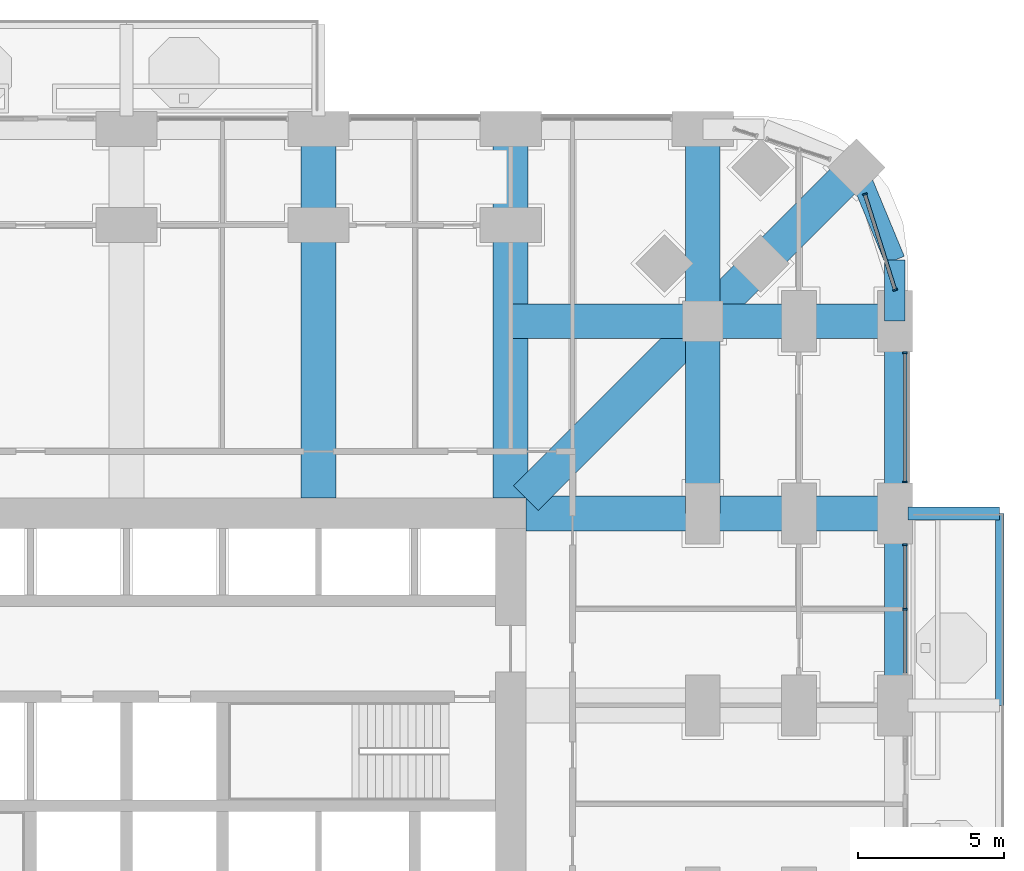
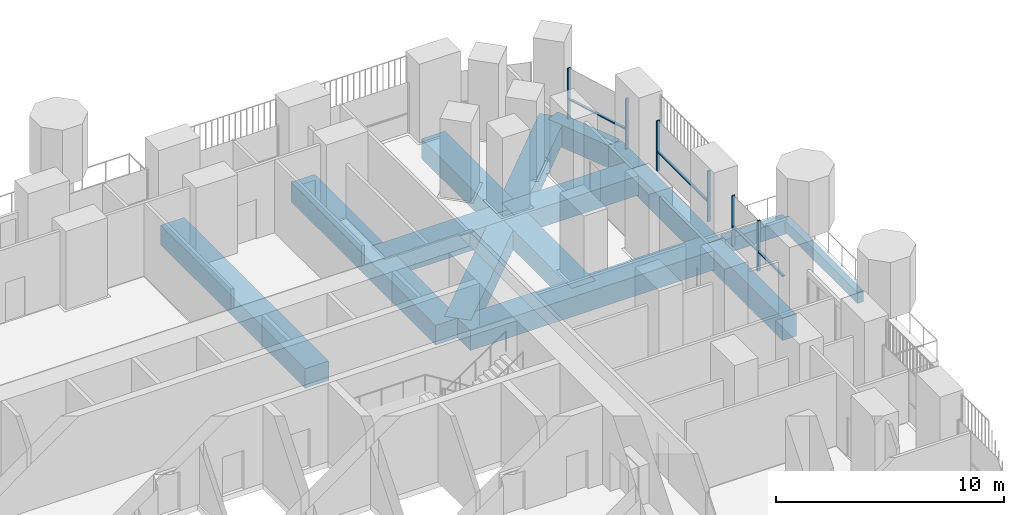
# One storey, part 8 of 26: 15 beams, 10 members, 3 elements without a shape of their own.
"""IFC4 building model written with IfcOpenShell, lengths in metres."""

from ifc_helpers import new_model, si_unit, direction, frame, origin, origin_2d, place, context, subcontext, project, spatial, rectangle, extrude, material, material_profile, profile_set, type_object, element, aggregate, save


model = new_model("IFC4")

# Units and contexts
model_context = context("Model", 3, precision=1e-05, world=origin(), true_north=direction((0.0, 1.0)))
body_context = subcontext(model_context, "Body", "Model", "MODEL_VIEW")
ifc_project = project(units=[si_unit("LENGTHUNIT", "METRE"), si_unit("AREAUNIT", "SQUARE_METRE"), si_unit("VOLUMEUNIT", "CUBIC_METRE"), si_unit("PLANEANGLEUNIT", "RADIAN"), si_unit("MASSUNIT", "GRAM", prefix="KILO")], contexts=[model_context])

# Site, building, storey
site_placement = place(None, origin())
site = spatial("IfcSite", under=ifc_project, at=site_placement, CompositionType="ELEMENT")
building_placement = place(site_placement, origin())
building = spatial("IfcBuilding", under=site, at=building_placement, Name="Cobogo Forest Laboratory Tower", CompositionType="ELEMENT")
storey_placement = place(building_placement, frame((0.0, 0.0, 50.699951171875)))
storey = spatial("IfcBuildingStorey", under=building, at=storey_placement, Name="L11", CompositionType="ELEMENT", Elevation=50.699951171875)

# Beams
ifc_material_1 = material(Name="Concrete HA-40 (C40/50)", Category="concrete")
ifc_material_profile_1 = material_profile(ifc_material_1, rectangle(XDim=0.449951171875, YDim=0.75, at=origin_2d()), Name="RC 450x750")
ifc_profile_set_1 = profile_set([ifc_material_profile_1], Name="Concrete HA-40 (C40/50)")
beam_type_1 = type_object("IfcBeamType", Name="Balcony cantilever beam 450x750", PredefinedType="BEAM", material=ifc_profile_set_1)
beam_1_placement = place(storey_placement, frame((53.25, 33.0, -0.625), z_axis=(1.0, 0.0, 0.0), x_axis=(0.0, 1.0, 0.0)))
element("IfcBeam", 1, at=beam_1_placement, inside=storey, type_object=beam_type_1, Name="CB1 BAL-E1-C3 L11", PredefinedType="BEAM", context=body_context, shape_type="SweptSolid", body=[
    extrude(rectangle(XDim=0.449951171875, YDim=0.75, at=origin_2d()), origin(), (0.0, 0.0, 1.0), 3.14990234375),
])
ifc_material_profile_2 = material_profile(ifc_material_1, rectangle(XDim=0.300048828125, YDim=0.60009765625, at=origin_2d()), Name="RC 300x600")
ifc_profile_set_2 = profile_set([ifc_material_profile_2], Name="Concrete HA-40 (C40/50)")
beam_type_2 = type_object("IfcBeamType", Name="Balcony edge beam 300x600", PredefinedType="BEAM", material=ifc_profile_set_2)
beam_2_placement = place(storey_placement, frame((56.39990234375, 26.39990234375, -0.550048828125), z_axis=(0.0, 1.0, 0.0), x_axis=(-1.0, 0.0, 0.0)))
element("IfcBeam", 2, at=beam_2_placement, inside=storey, type_object=beam_type_2, Name="BB1 BAL-E1-T2 L11", PredefinedType="BEAM", context=body_context, shape_type="SweptSolid", body=[
    extrude(rectangle(XDim=0.300048828125, YDim=0.60009765625, at=origin_2d()), origin(), (0.0, 0.0, 1.0), 6.60009765625),
])
ifc_material_profile_3 = material_profile(ifc_material_1, rectangle(XDim=1.199951171875, YDim=1.050048828125, at=origin_2d()), Name="RC 1200x1050")
ifc_profile_set_3 = profile_set([ifc_material_profile_3], Name="Concrete HA-40 (C40/50)")
beam_type_3 = type_object("IfcBeamType", Name="Laboratory floor wide beam 1200x1050", PredefinedType="BEAM", material=ifc_profile_set_3)
for number, where, z_axis, x_axis, name in (
    (3, (33.0, 33.52490234375, -0.824951171875), (0.0, 1.0, 0.0), (-1.0, 0.0, 0.0), "RB1 R-6-N L11"),
    (4, (39.60009765625, 33.52490234375, -0.824951171875), (0.0, 1.0, 0.0), (-1.0, 0.0, 0.0), "RB1 R-7-N L11"),
    (5, (40.125, 33.0, -0.824951171875), (1.0, 0.0, 0.0), (0.0, 1.0, 0.0), "RB1 R-F-E L11"),
):
    element("IfcBeam", number, at=place(storey_placement, frame(where, z_axis=z_axis, x_axis=x_axis)), inside=storey, type_object=beam_type_3, Name=name, PredefinedType="BEAM", context=body_context, shape_type="SweptSolid", body=[
        extrude(rectangle(XDim=1.199951171875, YDim=1.050048828125, at=origin_2d()), origin(), (0.0, 0.0, 1.0), 12.675048828125),
    ])
beam_3_placement = place(storey_placement, frame((46.199951171875, 46.199951171875, -0.824951171875), z_axis=(0.0, -1.0, 0.0), x_axis=(1.0, 0.0, 0.0)))
element("IfcBeam", 6, at=beam_3_placement, inside=storey, type_object=beam_type_3, Name="RB1 G-NE-XF L11", PredefinedType="BEAM", context=body_context, shape_type="SweptSolid", body=[
    extrude(rectangle(XDim=1.199951171875, YDim=1.050048828125, at=origin_2d()), origin(), (0.0, 0.0, 1.0), 6.599853515625),
])
for number, where, z_axis, x_axis, name in (
    (7, (46.199951171875, 39.60009765625, -0.824951171875), (0.0, -1.0, 0.0), (1.0, 0.0, 0.0), "RB1 G-NE-XC L11"),
    (8, (52.800048828125, 39.60009765625, -0.824951171875), (-1.0, 0.0, 0.0), (0.0, -1.0, 0.0), "RB1 G-NE-YF L11"),
):
    element("IfcBeam", number, at=place(storey_placement, frame(where, z_axis=z_axis, x_axis=x_axis)), inside=storey, type_object=beam_type_3, Name=name, PredefinedType="BEAM", context=body_context, shape_type="SweptSolid", body=[
        extrude(rectangle(XDim=1.199951171875, YDim=1.050048828125, at=origin_2d()), origin(), (0.0, 0.0, 1.0), 6.60009765625),
    ])
beam_4_placement = place(storey_placement, frame((46.199951171875, 39.60009765625, -0.824951171875), z_axis=(-1.0, 0.0, 0.0), x_axis=(0.0, -1.0, 0.0)))
element("IfcBeam", 9, at=beam_4_placement, inside=storey, type_object=beam_type_3, Name="RB1 G-NE-YC L11", PredefinedType="BEAM", context=body_context, shape_type="SweptSolid", body=[
    extrude(rectangle(XDim=1.199951171875, YDim=1.050048828125, at=origin_2d()), origin(), (0.0, 0.0, 1.0), 6.599853515625),
])
beam_5_placement = place(storey_placement, frame((51.48193359375, 44.882080078125, -0.824951171875), z_axis=(-0.707106781187, -0.707106781187, 0.0), x_axis=(0.707106781187, -0.707106781187, 0.0)))
element("IfcBeam", 10, at=beam_5_placement, inside=storey, type_object=beam_type_3, Name="RB1 G-NE-D1 L11", PredefinedType="BEAM", context=body_context, shape_type="SweptSolid", body=[
    extrude(rectangle(XDim=1.199951171875, YDim=1.050048828125, at=origin_2d()), origin(), (0.0, 0.0, 1.0), 7.469970703125),
])
beam_6_placement = place(storey_placement, frame((46.199951171875, 39.60009765625, -0.824951171875), z_axis=(-0.707092572697, -0.70712098939, 0.0), x_axis=(0.70712098939, -0.707092572697, 0.0)))
element("IfcBeam", 11, at=beam_6_placement, inside=storey, type_object=beam_type_3, Name="RB1 G-NE-D2 L11", PredefinedType="BEAM", context=body_context, shape_type="SweptSolid", body=[
    extrude(rectangle(XDim=1.199951171875, YDim=1.050048828125, at=origin_2d()), origin(), (0.0, 0.0, 1.0), 8.591552734375),
])

# Curtain wall, members
ifc_material_2 = material(Name="Aluminium curtain wall", Category="aluminium")
curtain_wall_type = type_object("IfcCurtainWallType", Name="CW-1 unitised curtain wall, clear glazing, laboratory floors zones A and B", PredefinedType="USERDEFINED", material=ifc_material_2)
curtain_wall_1_placement = place(storey_placement, origin())
curtain_wall_1 = element("IfcCurtainWall", 12, at=curtain_wall_1_placement, inside=storey, type_object=curtain_wall_type, Name="Curtain wall 13 L11", ObjectType="UNITISED CURTAIN WALL", PredefinedType="USERDEFINED")
ifc_material_3 = material(Name="Aluminium mullion", Category="aluminium")
ifc_material_profile_4 = material_profile(ifc_material_3, rectangle(XDim=0.06005859375, YDim=0.159912109375, at=origin_2d()), Name="AL 60x160")
ifc_profile_set_4 = profile_set([ifc_material_profile_4], Name="Aluminium mullion")
member_type_1 = type_object("IfcMemberType", Name="MU-1 aluminium mullion 60x160", PredefinedType="MULLION", material=ifc_profile_set_4)
member_1_placement = place(storey_placement, frame((53.14990234375, 29.699951171875, 0.0), z_axis=(0.0, 0.0, 1.0), x_axis=(0.0, 1.0, 0.0)))
member_1 = element("IfcMember", 13, at=member_1_placement, type_object=member_type_1, Name="CW-1 mullion 2", PredefinedType="MULLION", context=body_context, shape_type="SweptSolid", body=[
    extrude(rectangle(XDim=0.06005859375, YDim=0.159912109375, at=origin_2d()), origin(), (0.0, 0.0, 1.0), 2.699951171875),
])
member_2_placement = place(storey_placement, frame((53.14990234375, 31.919921875, 0.0), z_axis=(0.0, 0.0, 1.0), x_axis=(0.0, 1.0, 0.0)))
member_2 = element("IfcMember", 14, at=member_2_placement, type_object=member_type_1, Name="CW-1 mullion 3", PredefinedType="MULLION", context=body_context, shape_type="SweptSolid", body=[
    extrude(rectangle(XDim=0.06005859375, YDim=0.159912109375, at=origin_2d()), origin(), (0.0, 0.0, 1.0), 2.699951171875),
])

curtain_wall_2_placement = place(storey_placement, origin())
curtain_wall_2 = element("IfcCurtainWall", 15, at=curtain_wall_2_placement, inside=storey, type_object=curtain_wall_type, Name="Curtain wall 14 L11", ObjectType="UNITISED CURTAIN WALL", PredefinedType="USERDEFINED")
member_3_placement = place(storey_placement, frame((53.14990234375, 34.080078125, 0.0), z_axis=(0.0, 0.0, 1.0), x_axis=(0.0, 1.0, 0.0)))
member_3 = element("IfcMember", 16, at=member_3_placement, type_object=member_type_1, Name="CW-1 mullion 1", PredefinedType="MULLION", context=body_context, shape_type="SweptSolid", body=[
    extrude(rectangle(XDim=0.06005859375, YDim=0.159912109375, at=origin_2d()), origin(), (0.0, 0.0, 1.0), 2.699951171875),
])
member_4_placement = place(storey_placement, frame((53.14990234375, 38.52001953125, 0.0), z_axis=(0.0, 0.0, 1.0), x_axis=(0.0, 1.0, 0.0)))
member_4 = element("IfcMember", 17, at=member_4_placement, type_object=member_type_1, Name="CW-1 mullion 2", PredefinedType="MULLION", context=body_context, shape_type="SweptSolid", body=[
    extrude(rectangle(XDim=0.06005859375, YDim=0.159912109375, at=origin_2d()), origin(), (0.0, 0.0, 1.0), 2.699951171875),
])

curtain_wall_3_placement = place(storey_placement, origin())
curtain_wall_3 = element("IfcCurtainWall", 18, at=curtain_wall_3_placement, inside=storey, type_object=curtain_wall_type, Name="Curtain wall 15 L11", ObjectType="UNITISED CURTAIN WALL", PredefinedType="USERDEFINED")
member_5_placement = place(storey_placement, frame((52.809326171875, 40.6787109375, 0.0), z_axis=(0.0, 0.0, 1.0), x_axis=(-0.30113535792, 0.95358140513, 0.0)))
member_5 = element("IfcMember", 19, at=member_5_placement, type_object=member_type_1, Name="CW-1 mullion 1", PredefinedType="MULLION", context=body_context, shape_type="SweptSolid", body=[
    extrude(rectangle(XDim=0.06005859375, YDim=0.159912109375, at=origin_2d()), origin(), (0.0, 0.0, 1.0), 2.699951171875),
])
member_6_placement = place(storey_placement, frame((51.772705078125, 43.961181640625, 0.0), z_axis=(0.0, 0.0, 1.0), x_axis=(-0.30113535792, 0.95358140513, 0.0)))
member_6 = element("IfcMember", 20, at=member_6_placement, type_object=member_type_1, Name="CW-1 mullion 2", PredefinedType="MULLION", context=body_context, shape_type="SweptSolid", body=[
    extrude(rectangle(XDim=0.06005859375, YDim=0.159912109375, at=origin_2d()), origin(), (0.0, 0.0, 1.0), 2.699951171875),
])

# Beams
ifc_material_profile_5 = material_profile(ifc_material_1, rectangle(XDim=0.699951171875, YDim=1.199951171875, at=origin_2d()), Name="RC 700x1200")
ifc_profile_set_5 = profile_set([ifc_material_profile_5], Name="Concrete HA-40 (C40/50)")
beam_type_4 = type_object("IfcBeamType", Name="Perimeter edge beam 700x1200", PredefinedType="BEAM", material=ifc_profile_set_5)
for number, where, z_axis, x_axis, name in (
    (21, (52.800048828125, 26.39990234375, -0.89990234375), (0.0, 1.0, 0.0), (-1.0, 0.0, 0.0), "EB1 E-E4 L11"),
    (22, (52.800048828125, 33.0, -0.89990234375), (0.0, 1.0, 0.0), (-1.0, 0.0, 0.0), "EB1 E-E5 L11"),
):
    element("IfcBeam", number, at=place(storey_placement, frame(where, z_axis=z_axis, x_axis=x_axis)), inside=storey, type_object=beam_type_4, Name=name, PredefinedType="BEAM", context=body_context, shape_type="SweptSolid", body=[
        extrude(rectangle(XDim=0.699951171875, YDim=1.199951171875, at=origin_2d()), origin(), (0.0, 0.0, 1.0), 6.60009765625),
    ])
beam_7_placement = place(storey_placement, frame((52.800048828125, 39.60009765625, -0.89990234375), z_axis=(0.0, 1.0, 0.0), x_axis=(-1.0, 0.0, 0.0)))
element("IfcBeam", 23, at=beam_7_placement, inside=storey, type_object=beam_type_4, Name="EB1 E-NEE1 L11", PredefinedType="BEAM", context=body_context, shape_type="SweptSolid", body=[
    extrude(rectangle(XDim=0.699951171875, YDim=1.199951171875, at=origin_2d()), origin(), (0.0, 0.0, 1.0), 2.099853515625),
])
beam_8_placement = place(storey_placement, frame((52.800048828125, 41.699951171875, -0.89990234375), z_axis=(-0.382691928466, 0.923876013265, 0.0), x_axis=(-0.923876013265, -0.382691928466, 0.0)))
element("IfcBeam", 24, at=beam_8_placement, inside=storey, type_object=beam_type_4, Name="EB1 E-NEE2 L11", PredefinedType="BEAM", context=body_context, shape_type="SweptSolid", body=[
    extrude(rectangle(XDim=0.699951171875, YDim=1.199951171875, at=origin_2d()), origin(), (0.0, 0.0, 1.0), 3.4443359375),
])

# Member
ifc_material_4 = material(Name="Aluminium transom", Category="aluminium")
ifc_material_profile_6 = material_profile(ifc_material_4, rectangle(XDim=0.1201171875, YDim=0.06005859375, at=origin_2d()), Name="AL 60x120")
ifc_profile_set_6 = profile_set([ifc_material_profile_6], Name="Aluminium transom")
member_type_2 = type_object("IfcMemberType", Name="TR-1 aluminium transom 60x120", PredefinedType="USERDEFINED", material=ifc_profile_set_6)
member_7_placement = place(storey_placement, frame((53.14990234375, 27.510009765625, 1.050048828125), z_axis=(0.0, 1.0, 0.0), x_axis=(-1.0, 0.0, 0.0)))
member_7 = element("IfcMember", 25, at=member_7_placement, type_object=member_type_2, Name="CW-1 transom 1.1", ObjectType="TRANSOM", PredefinedType="USERDEFINED", context=body_context, shape_type="SweptSolid", body=[
    extrude(rectangle(XDim=0.1201171875, YDim=0.06005859375, at=origin_2d()), origin(), (0.0, 0.0, 1.0), 2.159912109375),
])

member_8_placement = place(storey_placement, frame((53.14990234375, 29.72998046875, 1.050048828125), z_axis=(0.0, 1.0, 0.0), x_axis=(-1.0, 0.0, 0.0)))
member_8 = element("IfcMember", 26, at=member_8_placement, type_object=member_type_2, Name="CW-1 transom 2.1", ObjectType="TRANSOM", PredefinedType="USERDEFINED", context=body_context, shape_type="SweptSolid", body=[
    extrude(rectangle(XDim=0.1201171875, YDim=0.06005859375, at=origin_2d()), origin(), (0.0, 0.0, 1.0), 2.159912109375),
])

aggregate(curtain_wall_1, [member_1, member_2, member_7, member_8])

member_9_placement = place(storey_placement, frame((53.14990234375, 34.110107421875, 1.050048828125), z_axis=(0.0, 1.0, 0.0), x_axis=(-1.0, 0.0, 0.0)))
member_9 = element("IfcMember", 27, at=member_9_placement, type_object=member_type_2, Name="CW-1 transom 1.1", ObjectType="TRANSOM", PredefinedType="USERDEFINED", context=body_context, shape_type="SweptSolid", body=[
    extrude(rectangle(XDim=0.1201171875, YDim=0.06005859375, at=origin_2d()), origin(), (0.0, 0.0, 1.0), 4.3798828125),
])

aggregate(curtain_wall_2, [member_3, member_4, member_9])

member_10_placement = place(storey_placement, frame((52.80029296875, 40.707275390625, 1.050048828125), z_axis=(-0.301138276922, 0.953580483322, 0.0), x_axis=(-0.953580483322, -0.301138276922, 0.0)))
member_10 = element("IfcMember", 28, at=member_10_placement, type_object=member_type_2, Name="CW-1 transom 1.1", ObjectType="TRANSOM", PredefinedType="USERDEFINED", context=body_context, shape_type="SweptSolid", body=[
    extrude(rectangle(XDim=0.1201171875, YDim=0.06005859375, at=origin_2d()), origin(), (0.0, 0.0, 1.0), 3.38232421875),
])

aggregate(curtain_wall_3, [member_5, member_6, member_10])

save(model, "model.ifc")
